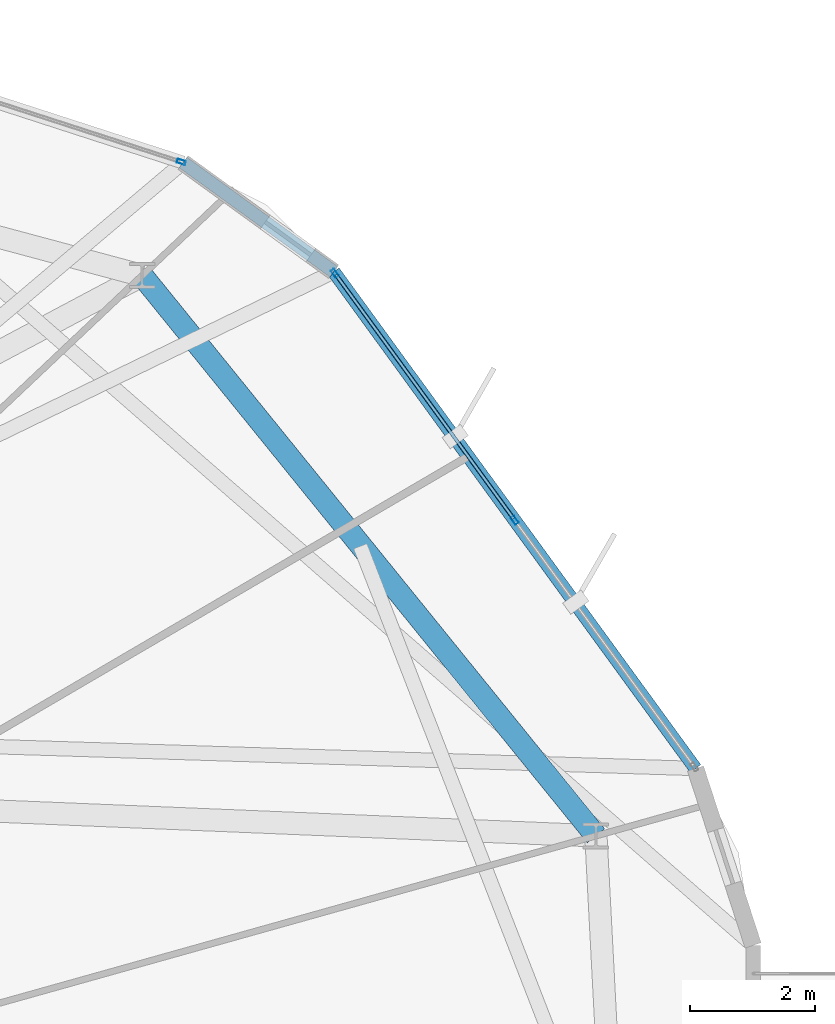
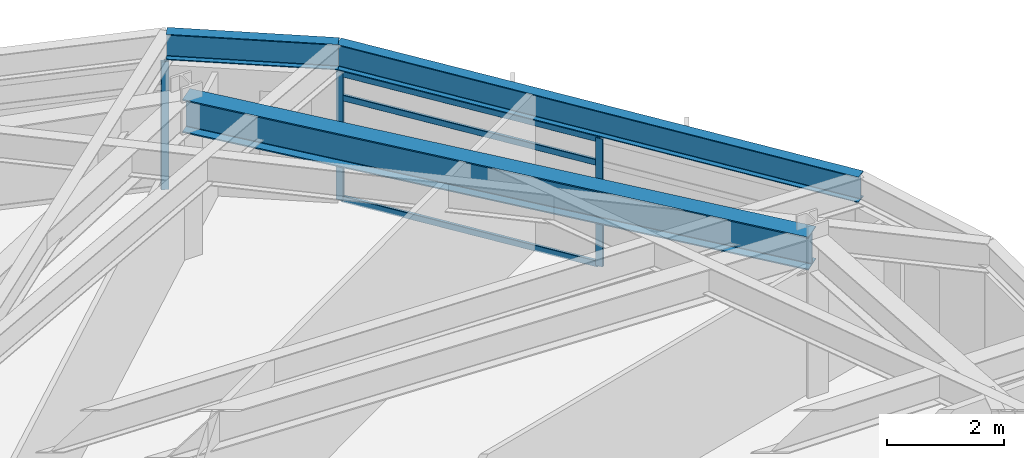
# One storey, part 23 of 31: 6 members, 3 beams, 2 elements without a shape of their own.
"""IFC4 building model written with IfcOpenShell, lengths in metres."""

from ifc_helpers import new_model, si_unit, direction, frame, origin, origin_2d, place, context, subcontext, project, spatial, hollow_rectangle, i_section, extrude, material, layer, layer_set, material_profile, profile_set, type_object, element, aggregate, save


model = new_model("IFC4")

# Units and contexts
model_context = context("Model", 3, precision=1e-05, world=origin(), true_north=direction((0.0, 1.0)))
body_context = subcontext(model_context, "Body", "Model", "MODEL_VIEW")
ifc_project = project(units=[si_unit("LENGTHUNIT", "METRE"), si_unit("AREAUNIT", "SQUARE_METRE"), si_unit("VOLUMEUNIT", "CUBIC_METRE"), si_unit("PLANEANGLEUNIT", "RADIAN"), si_unit("MASSUNIT", "GRAM", prefix="KILO")], contexts=[model_context])

# Site, building, storey
site_placement = place(None, origin())
site = spatial("IfcSite", under=ifc_project, at=site_placement, CompositionType="ELEMENT")
building_placement = place(site_placement, origin())
building = spatial("IfcBuilding", under=site, at=building_placement, Name="Soratama Intermodal Tower", CompositionType="ELEMENT")
storey_placement = place(building_placement, frame((0.0, 0.0, 230.199951171875)))
storey = spatial("IfcBuildingStorey", under=building, at=storey_placement, Name="L58", CompositionType="ELEMENT", Elevation=230.199951171875)

# Beams
ifc_material_1 = material(Name="Structural steel ASTM A992 Grade 50", Category="steel")
ifc_material_profile_1 = material_profile(ifc_material_1, i_section(OverallWidth=0.35498046875, OverallDepth=0.695068359375, WebThickness=0.015380859375, FlangeThickness=0.02490234375, FilletRadius=0.01611328125, at=origin_2d()), Name="W27X146")
ifc_profile_set_1 = profile_set([ifc_material_profile_1], Name="Structural steel ASTM A992 Grade 50")
beam_type_1 = type_object("IfcBeamType", Name="BM-RING-W27X146", PredefinedType="BEAM", material=ifc_profile_set_1)
beam_1_placement = place(storey_placement, frame((62.364990234375, 31.666015625, 2.95263671875), z_axis=(-0.629384551156, 0.777094001242, 0.0), x_axis=(-0.777094001242, -0.629384551156, 0.0)))
element("IfcBeam", 1, at=beam_1_placement, inside=storey, type_object=beam_type_1, Name="BM-L58-RING-01", PredefinedType="BEAM", context=body_context, shape_type="SweptSolid", body=[
    extrude(i_section(OverallWidth=0.35498046875, OverallDepth=0.695068359375, WebThickness=0.015380859375, FlangeThickness=0.02490234375, FilletRadius=0.01611328125, at=origin_2d()), origin(), (0.0, 0.0, 1.0), 11.49560546875),
])
ifc_material_2 = material(Name="Structural steel ASTM A992 Grade 50", Category="steel")
ifc_material_profile_2 = material_profile(ifc_material_2, i_section(OverallWidth=0.2099609375, OverallDepth=0.537109375, WebThickness=0.010986328125, FlangeThickness=0.017333984375, FilletRadius=0.012939453125, at=origin_2d()), Name="W21X68")
ifc_profile_set_2 = profile_set([ifc_material_profile_2], Name="Structural steel ASTM A992 Grade 50")
beam_type_2 = type_object("IfcBeamType", Name="BM-SPN-W21X68", PredefinedType="SPANDREL", material=ifc_profile_set_2)
beam_2_placement = place(storey_placement, frame((63.951904296875, 32.739990234375, 3.031494140625), z_axis=(-0.588632417868, 0.808400814345, 0.0), x_axis=(-0.808400814345, -0.588632417868, 0.0)))
element("IfcBeam", 2, at=beam_2_placement, inside=storey, type_object=beam_type_2, Name="BS-L58-F10", PredefinedType="SPANDREL", context=body_context, shape_type="SweptSolid", body=[
    extrude(i_section(OverallWidth=0.2099609375, OverallDepth=0.537109375, WebThickness=0.010986328125, FlangeThickness=0.017333984375, FilletRadius=0.012939453125, at=origin_2d()), origin(), (0.0, 0.0, 1.0), 9.797119140625),
])
beam_3_placement = place(storey_placement, frame((58.18505859375, 40.659912109375, 3.031494140625), z_axis=(-0.809503887113, 0.587114517577, 0.0), x_axis=(-0.587114517577, -0.809503887113, 0.0)))
element("IfcBeam", 3, at=beam_3_placement, inside=storey, type_object=beam_type_2, Name="BS-L58-CRN10", PredefinedType="SPANDREL", context=body_context, shape_type="SweptSolid", body=[
    extrude(i_section(OverallWidth=0.2099609375, OverallDepth=0.537109375, WebThickness=0.010986328125, FlangeThickness=0.017333984375, FilletRadius=0.012939453125, at=origin_2d()), origin(), (0.0, 0.0, 1.0), 2.96728515625),
])

# Curtain wall, member
ifc_material_3 = material(Name="Double-glazed aluminium curtain wall", Category="aluminium")
ifc_layer = layer(ifc_material_3, 0.159912109375)
ifc_layer_set = layer_set([ifc_layer], Name="Double-glazed aluminium curtain wall")
curtain_wall_type = type_object("IfcCurtainWallType", Name="CW-SYS-5", PredefinedType="NOTDEFINED", material=ifc_layer_set)
curtain_wall_1_placement = place(storey_placement, origin())
curtain_wall_1 = element("IfcCurtainWall", 4, at=curtain_wall_1_placement, inside=storey, type_object=curtain_wall_type, Name="L58 Faceted Curtain Wall F01", PredefinedType="NOTDEFINED")
ifc_material_4 = material(Name="Anodised aluminium AA 6063-T6", Category="aluminium")
ifc_material_profile_3 = material_profile(ifc_material_4, hollow_rectangle(XDim=0.06494140625, YDim=0.139892578125, WallThickness=0.0048828125, InnerFilletRadius=0.0048828125, OuterFilletRadius=0.010009765625, at=origin_2d()), Name="CWM140X65X5")
ifc_profile_set_3 = profile_set([ifc_material_profile_3], Name="Anodised aluminium AA 6063-T6")
member_type_1 = type_object("IfcMemberType", Name="MT-CWM-5", PredefinedType="MULLION", material=ifc_profile_set_3)
member_1_placement = place(storey_placement, frame((55.754638671875, 42.410888671875, 0.0), z_axis=(0.0, 0.0, 1.0), x_axis=(-0.308022186692, -0.951379173887, 0.0)))
member_1 = element("IfcMember", 5, at=member_1_placement, type_object=member_type_1, Name="CW-5 mullion 1", PredefinedType="MULLION", context=body_context, shape_type="SweptSolid", body=[
    extrude(hollow_rectangle(XDim=0.06494140625, YDim=0.139892578125, WallThickness=0.0048828125, InnerFilletRadius=0.0048828125, OuterFilletRadius=0.010009765625, at=origin_2d()), origin(), (0.0, 0.0, 1.0), 2.678955078125),
])
aggregate(curtain_wall_1, [member_1])

# Curtain wall, members
curtain_wall_2_placement = place(storey_placement, origin())
curtain_wall_2 = element("IfcCurtainWall", 6, at=curtain_wall_2_placement, inside=storey, type_object=curtain_wall_type, Name="L58 Faceted Curtain Wall F10", PredefinedType="NOTDEFINED")
member_2_placement = place(storey_placement, frame((61.068603515625, 36.7001953125, 0.0), z_axis=(0.0, 0.0, 1.0), x_axis=(-0.808395658706, -0.588639498323, 0.0)))
member_2 = element("IfcMember", 7, at=member_2_placement, type_object=member_type_1, Name="CW-5 mullion 2", PredefinedType="MULLION", context=body_context, shape_type="SweptSolid", body=[
    extrude(hollow_rectangle(XDim=0.06494140625, YDim=0.139892578125, WallThickness=0.0048828125, InnerFilletRadius=0.0048828125, OuterFilletRadius=0.010009765625, at=origin_2d()), origin(), (0.0, 0.0, 1.0), 2.678955078125),
])
member_3_placement = place(storey_placement, frame((58.20263671875, 40.63623046875, 0.0), z_axis=(0.0, 0.0, 1.0), x_axis=(-0.808395658706, -0.588639498323, 0.0)))
member_3 = element("IfcMember", 8, at=member_3_placement, type_object=member_type_1, Name="CW-5 mullion 3", PredefinedType="MULLION", context=body_context, shape_type="SweptSolid", body=[
    extrude(hollow_rectangle(XDim=0.06494140625, YDim=0.139892578125, WallThickness=0.0048828125, InnerFilletRadius=0.0048828125, OuterFilletRadius=0.010009765625, at=origin_2d()), origin(), (0.0, 0.0, 1.0), 2.678955078125),
])
ifc_material_5 = material(Name="Anodised aluminium AA 6063-T6", Category="aluminium")
ifc_material_profile_4 = material_profile(ifc_material_5, hollow_rectangle(XDim=0.06005859375, YDim=0.1298828125, WallThickness=0.0048828125, InnerFilletRadius=0.0048828125, OuterFilletRadius=0.010009765625, at=origin_2d()), Name="CWT130X60X5")
ifc_profile_set_4 = profile_set([ifc_material_profile_4], Name="Anodised aluminium AA 6063-T6")
member_type_2 = type_object("IfcMemberType", Name="TT-CWT-2", PredefinedType="USERDEFINED", material=ifc_profile_set_4)
member_4_placement = place(storey_placement, frame((61.051025390625, 36.724609375, 0.030029296875), z_axis=(-0.588657594339, 0.808382481643, 0.0), x_axis=(-0.808382481643, -0.588657594339, 0.0)))
member_4 = element("IfcMember", 9, at=member_4_placement, type_object=member_type_2, Name="CW-5 transom 2.1", ObjectType="TRANSOM", PredefinedType="USERDEFINED", context=body_context, shape_type="SweptSolid", body=[
    extrude(hollow_rectangle(XDim=0.06005859375, YDim=0.1298828125, WallThickness=0.0048828125, InnerFilletRadius=0.0048828125, OuterFilletRadius=0.010009765625, at=origin_2d()), origin(), (0.0, 0.0, 1.0), 4.808837890625),
])
member_5_placement = place(storey_placement, frame((61.051025390625, 36.724609375, 2.150146484375), z_axis=(-0.588657594339, 0.808382481643, 0.0), x_axis=(-0.808382481643, -0.588657594339, 0.0)))
member_5 = element("IfcMember", 10, at=member_5_placement, type_object=member_type_2, Name="CW-5 transom 2.2", ObjectType="TRANSOM", PredefinedType="USERDEFINED", context=body_context, shape_type="SweptSolid", body=[
    extrude(hollow_rectangle(XDim=0.06005859375, YDim=0.1298828125, WallThickness=0.0048828125, InnerFilletRadius=0.0048828125, OuterFilletRadius=0.010009765625, at=origin_2d()), origin(), (0.0, 0.0, 1.0), 4.808837890625),
])
member_6_placement = place(storey_placement, frame((61.051025390625, 36.724609375, 2.649169921875), z_axis=(-0.588657594339, 0.808382481643, 0.0), x_axis=(-0.808382481643, -0.588657594339, 0.0)))
member_6 = element("IfcMember", 11, at=member_6_placement, type_object=member_type_2, Name="CW-5 transom 2.3", ObjectType="TRANSOM", PredefinedType="USERDEFINED", context=body_context, shape_type="SweptSolid", body=[
    extrude(hollow_rectangle(XDim=0.06005859375, YDim=0.1298828125, WallThickness=0.0048828125, InnerFilletRadius=0.0048828125, OuterFilletRadius=0.010009765625, at=origin_2d()), origin(), (0.0, 0.0, 1.0), 4.808837890625),
])
aggregate(curtain_wall_2, [member_2, member_3, member_4, member_5, member_6])

save(model, "model.ifc")
